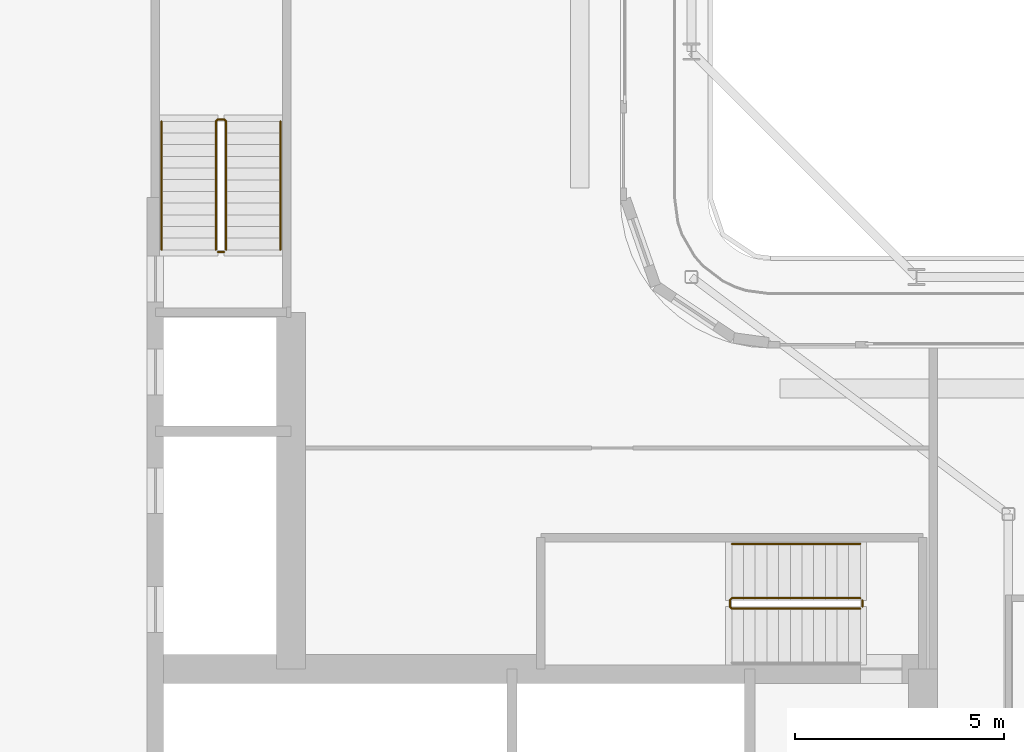
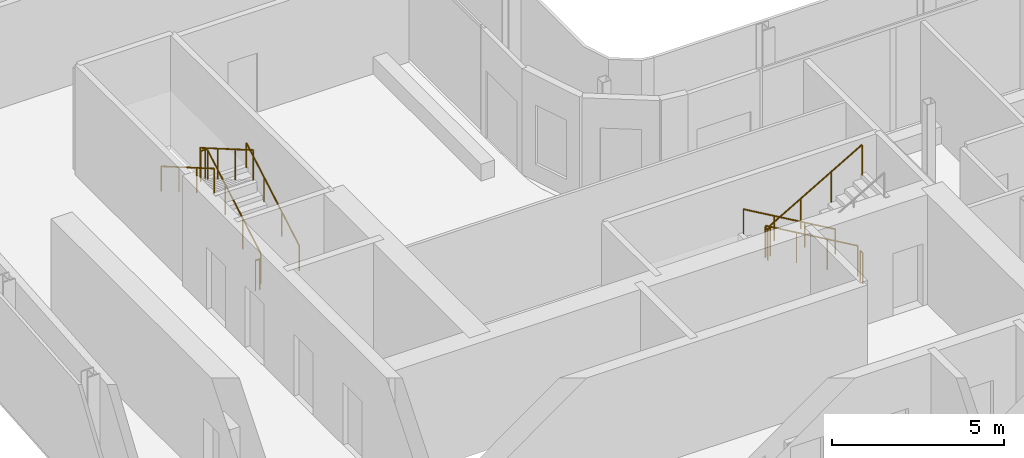
# One storey, part 16 of 21: 7 railings.
"""IFC4 building model written with IfcOpenShell, lengths in metres."""

from ifc_helpers import new_model, si_unit, direction, frame, origin, origin_2d, place, context, subcontext, project, spatial, circle, extrude, material, type_object, element, save


model = new_model("IFC4")

# Units and contexts
model_context = context("Model", 3, precision=1e-05, world=origin(), true_north=direction((0.0, 1.0)))
body_context = subcontext(model_context, "Body", "Model", "MODEL_VIEW")
ifc_project = project(units=[si_unit("LENGTHUNIT", "METRE"), si_unit("AREAUNIT", "SQUARE_METRE"), si_unit("VOLUMEUNIT", "CUBIC_METRE"), si_unit("PLANEANGLEUNIT", "RADIAN"), si_unit("MASSUNIT", "GRAM", prefix="KILO")], contexts=[model_context])

# Site, building, storey
site_placement = place(None, origin())
site = spatial("IfcSite", under=ifc_project, at=site_placement, CompositionType="ELEMENT")
building_placement = place(site_placement, origin())
building = spatial("IfcBuilding", under=site, at=building_placement, Name="Kheshtan School and Residences Tower", CompositionType="ELEMENT")
storey_placement = place(building_placement, frame((0.0, 0.0, 235.699951171875)))
storey = spatial("IfcBuildingStorey", under=building, at=storey_placement, Name="L55", CompositionType="ELEMENT", Elevation=235.699951171875)

# Railings
ifc_material_1 = material(Name="Stainless steel balustrade", Category="steel")
railing_type_1 = type_object("IfcRailingType", Name="Stair guard 1100", PredefinedType="GUARDRAIL", material=ifc_material_1)
railing_1_placement = place(storey_placement, frame((51.64990234375, 37.89990234375, 0.16259765625)))
element("IfcRailing", 1, at=railing_1_placement, inside=storey, type_object=railing_type_1, Name="L55 ST1 stair guard 1", PredefinedType="GUARDRAIL", context=body_context, shape_type="SweptSolid", body=[
    extrude(circle(Radius=0.02392578125, at=origin_2d()), frame((0.0, 0.0, 1.076171875), z_axis=(-0.864903211148, 0.0, 0.501938676878), x_axis=(0.0, -1.0, 0.0)), (0.0, 0.0, 1.0), 3.560791015625),
    extrude(circle(Radius=0.02392578125, at=origin_2d()), frame((-3.079833984375, 0.0, 2.86328125), z_axis=(-0.708833529934, -0.705375805398, 0.0), x_axis=(0.705375805398, -0.708833529934, 0.0)), (0.0, 0.0, 1.0), 0.070556640625),
    extrude(circle(Radius=0.02392578125, at=origin_2d()), frame((-3.1298828125, -0.0498046875, 2.86328125), z_axis=(0.0, -1.0, 0.0), x_axis=(1.0, 0.0, 0.0)), (0.0, 0.0, 1.0), 0.150146484375),
    extrude(circle(Radius=0.02392578125, at=origin_2d()), frame((-3.1298828125, -0.199951171875, 2.86328125), z_axis=(0.282227285176, -0.282227285176, 0.916894497205), x_axis=(0.707106781187, 0.707106781187, 0.0)), (0.0, 0.0, 1.0), 0.17724609375),
    extrude(circle(Radius=0.02392578125, at=origin_2d()), frame((-3.079833984375, -0.25, 3.02587890625), z_axis=(0.864873446163, 0.0, 0.501989962173), x_axis=(0.0, 1.0, 0.0)), (0.0, 0.0, 1.0), 3.56103515625),
    extrude(circle(Radius=0.02099609375, at=origin_2d()), origin(), (0.0, 0.0, 1.0), 1.052001953125),
    extrude(circle(Radius=0.02099609375, at=origin_2d()), frame((-1.026611328125, 0.0, 0.595703125)), (0.0, 0.0, 1.0), 1.052001953125),
    extrude(circle(Radius=0.02099609375, at=origin_2d()), frame((-2.05322265625, 0.0, 1.191650390625)), (0.0, 0.0, 1.0), 1.052001953125),
    extrude(circle(Radius=0.02099609375, at=origin_2d()), frame((-3.079833984375, 0.0, 1.787353515625)), (0.0, 0.0, 1.0), 1.052001953125),
    extrude(circle(Radius=0.02099609375, at=origin_2d()), frame((-3.1298828125, -0.0498046875, 1.787353515625)), (0.0, 0.0, 1.0), 1.052001953125),
    extrude(circle(Radius=0.02099609375, at=origin_2d()), frame((-3.1298828125, -0.199951171875, 1.787353515625)), (0.0, 0.0, 1.0), 1.052001953125),
    extrude(circle(Radius=0.02099609375, at=origin_2d()), frame((-3.079833984375, -0.25, 1.949951171875)), (0.0, 0.0, 1.0), 1.052001953125),
    extrude(circle(Radius=0.02099609375, at=origin_2d()), frame((-2.05322265625, -0.25, 2.5458984375)), (0.0, 0.0, 1.0), 1.052001953125),
    extrude(circle(Radius=0.02099609375, at=origin_2d()), frame((-1.026611328125, -0.25, 3.1416015625)), (0.0, 0.0, 1.0), 1.052001953125),
    extrude(circle(Radius=0.02099609375, at=origin_2d()), frame((0.0, -0.25, 3.737548828125)), (0.0, 0.0, 1.0), 1.052001953125),
])
railing_2_placement = place(storey_placement, frame((51.699951171875, 37.85009765625, 0.0)))
element("IfcRailing", 2, at=railing_2_placement, inside=storey, type_object=railing_type_1, Name="L55 ST1 stair guard 2", PredefinedType="GUARDRAIL", context=body_context, shape_type="SweptSolid", body=[
    extrude(circle(Radius=0.02392578125, at=origin_2d()), frame((0.0, 0.0, 1.076171875), z_axis=(0.0, -1.0, 0.0), x_axis=(1.0, 0.0, 0.0)), (0.0, 0.0, 1.0), 0.150146484375),
    extrude(circle(Radius=0.02099609375, at=origin_2d()), origin(), (0.0, 0.0, 1.0), 1.052001953125),
    extrude(circle(Radius=0.02099609375, at=origin_2d()), frame((0.0, -0.150146484375, 0.0)), (0.0, 0.0, 1.0), 1.052001953125),
])
railing_3_placement = place(storey_placement, frame((36.449951171875, 46.25, 0.16259765625)))
element("IfcRailing", 3, at=railing_3_placement, inside=storey, type_object=railing_type_1, Name="L55 ST2 stair guard 1", PredefinedType="GUARDRAIL", context=body_context, shape_type="SweptSolid", body=[
    extrude(circle(Radius=0.02392578125, at=origin_2d()), frame((0.0, 0.0, 1.076171875), z_axis=(0.0, 0.864920483161, 0.501908913857), x_axis=(-1.0, 0.0, 0.0)), (0.0, 0.0, 1.0), 3.56103515625),
    extrude(circle(Radius=0.02392578125, at=origin_2d()), frame((0.0, 3.080078125, 2.86328125), z_axis=(-0.708833529934, 0.705375805398, 0.0), x_axis=(-0.705375805398, -0.708833529934, 0.0)), (0.0, 0.0, 1.0), 0.070556640625),
    extrude(circle(Radius=0.02392578125, at=origin_2d()), frame((-0.050048828125, 3.1298828125, 2.86328125), z_axis=(-1.0, 0.0, 0.0), x_axis=(0.0, -1.0, 0.0)), (0.0, 0.0, 1.0), 0.14990234375),
    extrude(circle(Radius=0.02392578125, at=origin_2d()), frame((-0.199951171875, 3.1298828125, 2.86328125), z_axis=(-0.282336740067, -0.280959487676, 0.917250092119), x_axis=(0.705375805398, -0.708833529934, 0.0)), (0.0, 0.0, 1.0), 0.17724609375),
    extrude(circle(Radius=0.02392578125, at=origin_2d()), frame((-0.25, 3.080078125, 3.02587890625), z_axis=(0.0, -0.864890721111, 0.501960198159), x_axis=(1.0, 0.0, 0.0)), (0.0, 0.0, 1.0), 3.561279296875),
    extrude(circle(Radius=0.02099609375, at=origin_2d()), origin(), (0.0, 0.0, 1.0), 1.052001953125),
    extrude(circle(Radius=0.02099609375, at=origin_2d()), frame((0.0, 1.026611328125, 0.595703125)), (0.0, 0.0, 1.0), 1.052001953125),
    extrude(circle(Radius=0.02099609375, at=origin_2d()), frame((0.0, 2.053466796875, 1.191650390625)), (0.0, 0.0, 1.0), 1.052001953125),
    extrude(circle(Radius=0.02099609375, at=origin_2d()), frame((0.0, 3.080078125, 1.787353515625)), (0.0, 0.0, 1.0), 1.052001953125),
    extrude(circle(Radius=0.02099609375, at=origin_2d()), frame((-0.050048828125, 3.1298828125, 1.787353515625)), (0.0, 0.0, 1.0), 1.052001953125),
    extrude(circle(Radius=0.02099609375, at=origin_2d()), frame((-0.199951171875, 3.1298828125, 1.787353515625)), (0.0, 0.0, 1.0), 1.052001953125),
    extrude(circle(Radius=0.02099609375, at=origin_2d()), frame((-0.25, 3.080078125, 1.949951171875)), (0.0, 0.0, 1.0), 1.052001953125),
    extrude(circle(Radius=0.02099609375, at=origin_2d()), frame((-0.25, 2.053466796875, 2.5458984375)), (0.0, 0.0, 1.0), 1.052001953125),
    extrude(circle(Radius=0.02099609375, at=origin_2d()), frame((-0.25, 1.026611328125, 3.1416015625)), (0.0, 0.0, 1.0), 1.052001953125),
    extrude(circle(Radius=0.02099609375, at=origin_2d()), frame((-0.25, 0.0, 3.737548828125)), (0.0, 0.0, 1.0), 1.052001953125),
])
railing_4_placement = place(storey_placement, frame((36.39990234375, 46.199951171875, 0.0)))
element("IfcRailing", 4, at=railing_4_placement, inside=storey, type_object=railing_type_1, Name="L55 ST2 stair guard 2", PredefinedType="GUARDRAIL", context=body_context, shape_type="SweptSolid", body=[
    extrude(circle(Radius=0.02392578125, at=origin_2d()), frame((0.0, 0.0, 1.076171875), z_axis=(-1.0, 0.0, 0.0), x_axis=(0.0, -1.0, 0.0)), (0.0, 0.0, 1.0), 0.14990234375),
    extrude(circle(Radius=0.02099609375, at=origin_2d()), origin(), (0.0, 0.0, 1.0), 1.052001953125),
    extrude(circle(Radius=0.02099609375, at=origin_2d()), frame((-0.14990234375, 0.0, 0.0)), (0.0, 0.0, 1.0), 1.052001953125),
])
ifc_material_2 = material(Name="Stainless steel handrail", Category="steel")
railing_type_2 = type_object("IfcRailingType", Name="Stair handrail 900", PredefinedType="HANDRAIL", material=ifc_material_2)
railing_5_placement = place(storey_placement, frame((51.64990234375, 39.199951171875, 0.16259765625)))
element("IfcRailing", 5, at=railing_5_placement, inside=storey, type_object=railing_type_2, Name="L55 ST1 stair handrail 1", PredefinedType="HANDRAIL", context=body_context, shape_type="SweptSolid", body=[
    extrude(circle(Radius=0.02392578125, at=origin_2d()), frame((0.0, 0.0, 0.8759765625), z_axis=(-0.864903211148, 0.0, 0.501938676878), x_axis=(0.0, -1.0, 0.0)), (0.0, 0.0, 1.0), 3.560791015625),
    extrude(circle(Radius=0.02099609375, at=origin_2d()), origin(), (0.0, 0.0, 1.0), 0.851806640625),
    extrude(circle(Radius=0.02099609375, at=origin_2d()), frame((-1.026611328125, 0.0, 0.595703125)), (0.0, 0.0, 1.0), 0.851806640625),
    extrude(circle(Radius=0.02099609375, at=origin_2d()), frame((-2.05322265625, 0.0, 1.191650390625)), (0.0, 0.0, 1.0), 0.851806640625),
    extrude(circle(Radius=0.02099609375, at=origin_2d()), frame((-3.079833984375, 0.0, 1.787353515625)), (0.0, 0.0, 1.0), 0.851806640625),
])
railing_6_placement = place(storey_placement, frame((37.75, 46.25, 0.16259765625)))
element("IfcRailing", 6, at=railing_6_placement, inside=storey, type_object=railing_type_2, Name="L55 ST2 stair handrail 1", PredefinedType="HANDRAIL", context=body_context, shape_type="SweptSolid", body=[
    extrude(circle(Radius=0.02392578125, at=origin_2d()), frame((0.0, 0.0, 0.8759765625), z_axis=(0.0, 0.864920483161, 0.501908913857), x_axis=(-1.0, 0.0, 0.0)), (0.0, 0.0, 1.0), 3.56103515625),
    extrude(circle(Radius=0.02099609375, at=origin_2d()), origin(), (0.0, 0.0, 1.0), 0.851806640625),
    extrude(circle(Radius=0.02099609375, at=origin_2d()), frame((0.0, 1.026611328125, 0.595703125)), (0.0, 0.0, 1.0), 0.851806640625),
    extrude(circle(Radius=0.02099609375, at=origin_2d()), frame((0.0, 2.053466796875, 1.191650390625)), (0.0, 0.0, 1.0), 0.851806640625),
    extrude(circle(Radius=0.02099609375, at=origin_2d()), frame((0.0, 3.080078125, 1.787353515625)), (0.0, 0.0, 1.0), 0.851806640625),
])
railing_7_placement = place(storey_placement, frame((34.89990234375, 49.330078125, 2.112548828125)))
element("IfcRailing", 7, at=railing_7_placement, inside=storey, type_object=railing_type_2, Name="L55 ST2 stair handrail 2", PredefinedType="HANDRAIL", context=body_context, shape_type="SweptSolid", body=[
    extrude(circle(Radius=0.02392578125, at=origin_2d()), frame((0.0, 0.0, 0.8759765625), z_axis=(0.0, -0.864890721111, 0.501960198159), x_axis=(1.0, 0.0, 0.0)), (0.0, 0.0, 1.0), 3.561279296875),
    extrude(circle(Radius=0.02099609375, at=origin_2d()), origin(), (0.0, 0.0, 1.0), 0.851806640625),
    extrude(circle(Radius=0.02099609375, at=origin_2d()), frame((0.0, -1.026611328125, 0.595947265625)), (0.0, 0.0, 1.0), 0.851806640625),
    extrude(circle(Radius=0.02099609375, at=origin_2d()), frame((0.0, -2.053466796875, 1.191650390625)), (0.0, 0.0, 1.0), 0.851806640625),
    extrude(circle(Radius=0.02099609375, at=origin_2d()), frame((0.0, -3.080078125, 1.78759765625)), (0.0, 0.0, 1.0), 0.851806640625),
])

save(model, "model.ifc")
